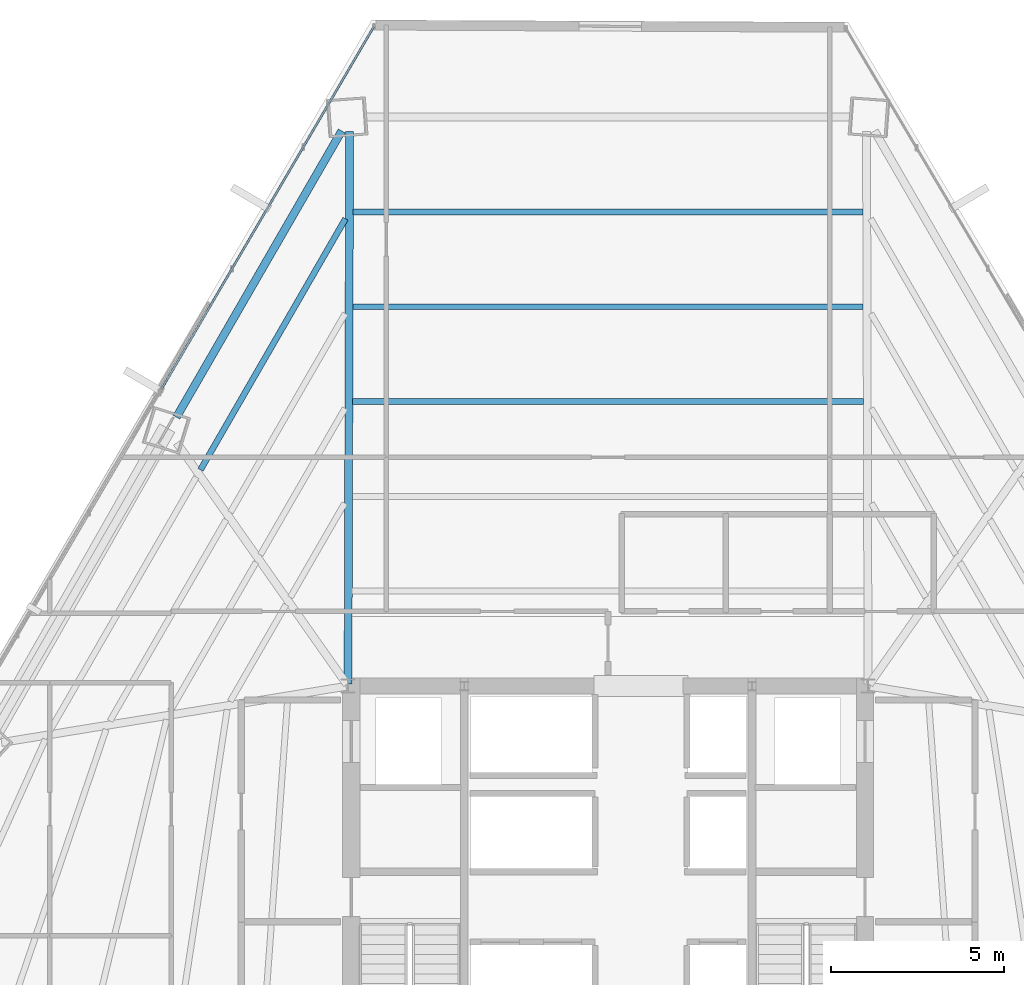
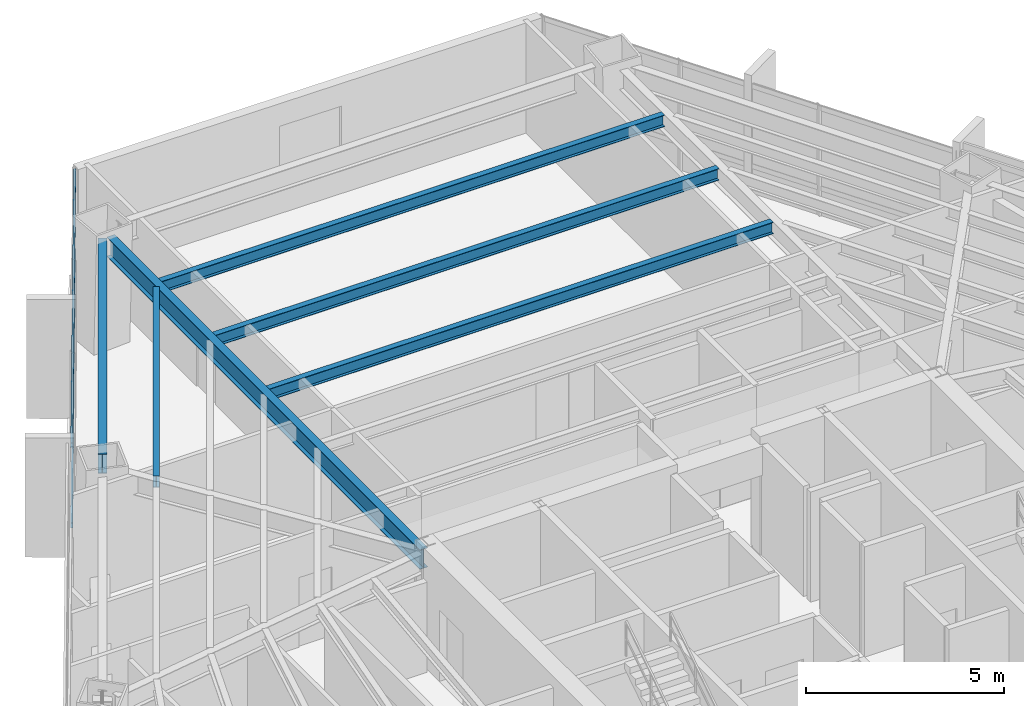
# One storey, part 25 of 37: 6 beams, 2 members, 1 element without a shape of its own.
"""IFC4 building model written with IfcOpenShell, lengths in metres."""

from ifc_helpers import new_model, si_unit, direction, frame, origin, origin_2d, place, context, subcontext, project, spatial, hollow_rectangle, i_section, extrude, source, transform, mapped, material, material_profile, profile_set, type_object, type_shapes, element, aggregate, save


model = new_model("IFC4")

# Units and contexts
model_context = context("Model", 3, precision=1e-05, world=origin(), true_north=direction((0.0, 1.0)))
body_context = subcontext(model_context, "Body", "Model", "MODEL_VIEW")
ifc_project = project(units=[si_unit("LENGTHUNIT", "METRE"), si_unit("AREAUNIT", "SQUARE_METRE"), si_unit("VOLUMEUNIT", "CUBIC_METRE"), si_unit("PLANEANGLEUNIT", "RADIAN"), si_unit("MASSUNIT", "GRAM", prefix="KILO")], contexts=[model_context])

# Site, building, storey
site_placement = place(None, origin())
site = spatial("IfcSite", under=ifc_project, at=site_placement, CompositionType="ELEMENT")
building_placement = place(site_placement, origin())
building = spatial("IfcBuilding", under=site, at=building_placement, Name="Caelisora Broadcast Tower", CompositionType="ELEMENT")
storey_placement = place(building_placement, frame((0.0, 0.0, 101.75)))
storey = spatial("IfcBuildingStorey", under=building, at=storey_placement, Name="L26", CompositionType="ELEMENT", Elevation=101.75)

# Beams
ifc_material_1 = material(Name="Steel Grade 350 (AS/NZS 3679.1)", Category="steel")
ifc_material_profile_1 = material_profile(ifc_material_1, i_section(OverallWidth=0.22900390625, OverallDepth=0.611572265625, WebThickness=0.011962890625, FlangeThickness=0.01953125, at=origin_2d()), Name="Steel Grade 350 (AS/NZS 3679.1)")
ifc_profile_set_1 = profile_set([ifc_material_profile_1], Name="Steel Grade 350 (AS/NZS 3679.1)")
beam_type_1 = type_object("IfcBeamType", Name="PG03", PredefinedType="BEAM", material=ifc_profile_set_1)
shared_shape_1 = source(origin(), body_context, "Body", "SweptSolid", [
    extrude(i_section(OverallWidth=0.22900390625, OverallDepth=0.611572265625, WebThickness=0.011962890625, FlangeThickness=0.01953125, at=origin_2d()), origin(), (0.0, 0.0, 1.0), 9.533203125),
])
type_shapes(beam_type_1, [shared_shape_1])
beam_1_placement = place(storey_placement, frame((30.31689453125, 46.010498046875, 3.09423828125), z_axis=(-0.499995120407, -0.866028221, 0.0), x_axis=(0.866028221, -0.499995120407, 0.0)))
element("IfcBeam", 1, at=beam_1_placement, inside=storey, type_object=beam_type_1, Name="L26 beam PG03", PredefinedType="BEAM", context=body_context, shape_type="MappedRepresentation", body=[
    mapped(shared_shape_1, transform((0.0, 0.0, 0.0), scale=1.0)),
])
ifc_material_profile_2 = material_profile(ifc_material_1, i_section(OverallWidth=0.22802734375, OverallDepth=0.602294921875, WebThickness=0.010498046875, FlangeThickness=0.014892578125, at=origin_2d()), Name="Steel Grade 350 (AS/NZS 3679.1)")
ifc_profile_set_2 = profile_set([ifc_material_profile_2], Name="Steel Grade 350 (AS/NZS 3679.1)")
beam_type_2 = type_object("IfcBeamType", Name="PG04", PredefinedType="BEAM", material=ifc_profile_set_2)
shared_shape_2 = source(origin(), body_context, "Body", "SweptSolid", [
    extrude(i_section(OverallWidth=0.22802734375, OverallDepth=0.602294921875, WebThickness=0.010498046875, FlangeThickness=0.014892578125, at=origin_2d()), origin(), (0.0, 0.0, 1.0), 15.928955078125),
])
type_shapes(beam_type_2, [shared_shape_2])
beam_2_placement = place(storey_placement, frame((30.500244140625, 30.06005859375, 3.098876953125), z_axis=(0.002866108237, 0.999995892703, 0.0), x_axis=(-0.999995892703, 0.002866108237, 0.0)))
element("IfcBeam", 2, at=beam_2_placement, inside=storey, type_object=beam_type_2, Name="L26 beam PG04", PredefinedType="BEAM", context=body_context, shape_type="MappedRepresentation", body=[
    mapped(shared_shape_2, transform((0.0, 0.0, 0.0), scale=1.0)),
])
ifc_material_profile_3 = material_profile(ifc_material_1, i_section(OverallWidth=0.172119140625, OverallDepth=0.358642578125, WebThickness=0.008056640625, FlangeThickness=0.012939453125, at=origin_2d()), Name="Steel Grade 350 (AS/NZS 3679.1)")
ifc_profile_set_3 = profile_set([ifc_material_profile_3], Name="Steel Grade 350 (AS/NZS 3679.1)")
beam_type_3 = type_object("IfcBeamType", Name="SB02", PredefinedType="JOIST", material=ifc_profile_set_3)
shared_shape_3 = source(origin(), body_context, "Body", "SweptSolid", [
    extrude(i_section(OverallWidth=0.172119140625, OverallDepth=0.358642578125, WebThickness=0.008056640625, FlangeThickness=0.012939453125, at=origin_2d()), origin(), (0.0, 0.0, 1.0), 14.73095703125),
])
beam_3_placement = place(storey_placement, frame((45.365478515625, 38.20458984375, 3.220703125), z_axis=(-1.0, 0.0, 0.0), x_axis=(0.0, -1.0, 0.0)))
element("IfcBeam", 3, at=beam_3_placement, inside=storey, type_object=beam_type_3, Name="L26 beam SB02", PredefinedType="JOIST", context=body_context, shape_type="MappedRepresentation", body=[
    mapped(shared_shape_3, transform((0.0, 0.0, 0.0), scale=1.0)),
])
shared_shape_4 = source(origin(), body_context, "Body", "SweptSolid", [
    extrude(i_section(OverallWidth=0.172119140625, OverallDepth=0.358642578125, WebThickness=0.008056640625, FlangeThickness=0.012939453125, at=origin_2d()), origin(), (0.0, 0.0, 1.0), 14.71533203125),
])
beam_4_placement = place(storey_placement, frame((45.357666015625, 40.939208984375, 3.220703125), z_axis=(-1.0, 0.0, 0.0), x_axis=(0.0, -1.0, 0.0)))
element("IfcBeam", 4, at=beam_4_placement, inside=storey, type_object=beam_type_3, Name="L26 beam SB02", PredefinedType="JOIST", context=body_context, shape_type="MappedRepresentation", body=[
    mapped(shared_shape_4, transform((0.0, 0.0, 0.0), scale=1.0)),
])
shared_shape_5 = source(origin(), body_context, "Body", "SweptSolid", [
    extrude(i_section(OverallWidth=0.172119140625, OverallDepth=0.358642578125, WebThickness=0.008056640625, FlangeThickness=0.012939453125, at=origin_2d()), origin(), (0.0, 0.0, 1.0), 14.69970703125),
])
beam_5_placement = place(storey_placement, frame((45.349853515625, 43.674072265625, 3.220703125), z_axis=(-1.0, 0.0, 0.0), x_axis=(0.0, -1.0, 0.0)))
element("IfcBeam", 5, at=beam_5_placement, inside=storey, type_object=beam_type_3, Name="L26 beam SB02", PredefinedType="JOIST", context=body_context, shape_type="MappedRepresentation", body=[
    mapped(shared_shape_5, transform((0.0, 0.0, 0.0), scale=1.0)),
])
shared_shape_6 = source(origin(), body_context, "Body", "SweptSolid", [
    extrude(i_section(OverallWidth=0.172119140625, OverallDepth=0.358642578125, WebThickness=0.008056640625, FlangeThickness=0.012939453125, at=origin_2d()), origin(), (0.0, 0.0, 1.0), 8.362548828125),
])
type_shapes(beam_type_3, [shared_shape_3, shared_shape_4, shared_shape_5, shared_shape_6])
beam_6_placement = place(storey_placement, frame((30.426025390625, 43.478271484375, 3.220703125), z_axis=(-0.499988649376, -0.866031956971, 0.0), x_axis=(0.866031956971, -0.499988649376, 0.0)))
element("IfcBeam", 6, at=beam_6_placement, inside=storey, type_object=beam_type_3, Name="L26 beam SB02", PredefinedType="JOIST", context=body_context, shape_type="MappedRepresentation", body=[
    mapped(shared_shape_6, transform((0.0, 0.0, 0.0), scale=1.0)),
])

# Curtain wall, members
ifc_material_2 = material(Name="Unitised Aluminium and Low-E Glass Curtain Wall", Category="glass")
curtain_wall_type = type_object("IfcCurtainWallType", Name="CW-Z2", PredefinedType="NOTDEFINED", material=ifc_material_2)
curtain_wall_placement = place(storey_placement, origin())
curtain_wall = element("IfcCurtainWall", 7, at=curtain_wall_placement, inside=storey, type_object=curtain_wall_type, Name="L26 curtain wall CW-Z2", PredefinedType="NOTDEFINED")
ifc_material_3 = material(Name="Aluminium 6063-T6 Anodised Terracotta Bronze", Category="aluminium")
ifc_material_profile_4 = material_profile(ifc_material_3, hollow_rectangle(XDim=0.06005859375, YDim=0.14990234375, WallThickness=0.00341796875, at=origin_2d()), Name="Aluminium 6063-T6 Anodised Terracotta Bronze")
ifc_profile_set_4 = profile_set([ifc_material_profile_4], Name="Aluminium 6063-T6 Anodised Terracotta Bronze")
member_type = type_object("IfcMemberType", Name="CWT-02", PredefinedType="USERDEFINED", material=ifc_profile_set_4)
shared_shape_7 = source(origin(), body_context, "Body", "SweptSolid", [
    extrude(hollow_rectangle(XDim=0.06005859375, YDim=0.14990234375, WallThickness=0.00341796875, at=origin_2d()), origin(), (0.0, 0.0, 1.0), 12.117431640625),
])
type_shapes(member_type, [shared_shape_7])
member_1_placement = place(storey_placement, frame((25.11865234375, 38.561279296875, 0.85009765625), z_axis=(0.505466115808, 0.862846455501, 0.0), x_axis=(-0.862846455501, 0.505466115808, 0.0)))
member_1 = element("IfcMember", 8, at=member_1_placement, type_object=member_type, Name="L26-CW-B11 transom #1", ObjectType="TRANSOM", PredefinedType="USERDEFINED", context=body_context, shape_type="MappedRepresentation", body=[
    mapped(shared_shape_7, transform((0.0, 0.0, 0.0), scale=1.0)),
])
member_2_placement = place(storey_placement, frame((25.11865234375, 38.561279296875, 3.320068359375), z_axis=(0.505466115808, 0.862846455501, 0.0), x_axis=(-0.862846455501, 0.505466115808, 0.0)))
member_2 = element("IfcMember", 9, at=member_2_placement, type_object=member_type, Name="L26-CW-B11 transom #2", ObjectType="TRANSOM", PredefinedType="USERDEFINED", context=body_context, shape_type="MappedRepresentation", body=[
    mapped(shared_shape_7, transform((0.0, 0.0, 0.0), scale=1.0)),
])
aggregate(curtain_wall, [member_1, member_2])

save(model, "model.ifc")
